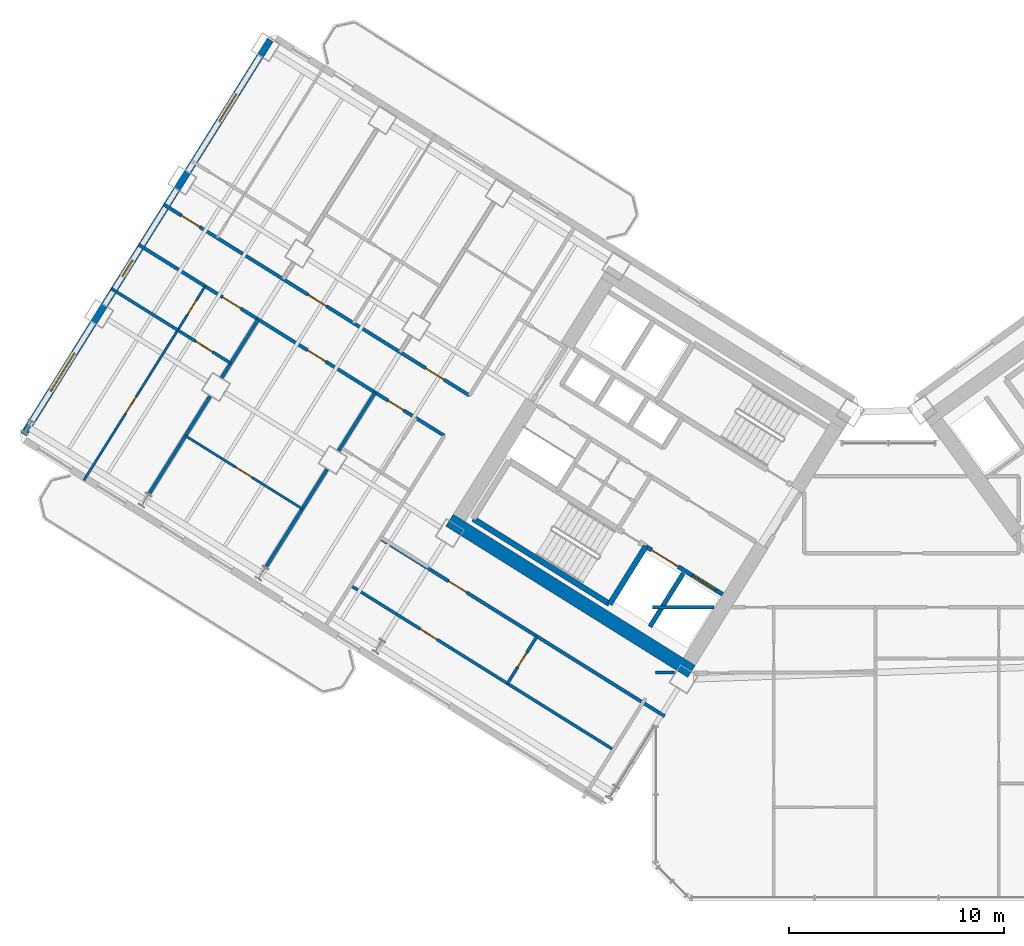
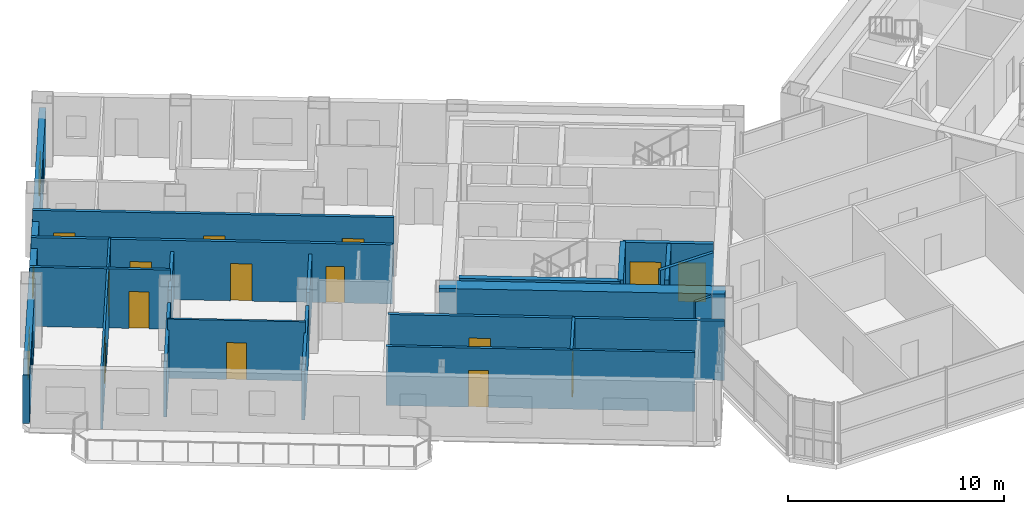
# One storey, part 15 of 24: 21 walls, 15 doors, 3 windows, 18 openings.
"""IFC4 building model written with IfcOpenShell, lengths in metres."""

from ifc_helpers import new_model, si_unit, direction, frame, frame_2d, origin, place, context, subcontext, project, spatial, rectangle, extrude, source, transform, mapped, material, layer, layer_set, type_object, element, fill, save


model = new_model("IFC4")

# Units and contexts
model_context = context("Model", 3, precision=1e-05, world=origin(), true_north=direction((0.0, 1.0)))
body_context = subcontext(model_context, "Body", "Model", "MODEL_VIEW")
ifc_project = project(units=[si_unit("LENGTHUNIT", "METRE"), si_unit("AREAUNIT", "SQUARE_METRE"), si_unit("VOLUMEUNIT", "CUBIC_METRE"), si_unit("PLANEANGLEUNIT", "RADIAN"), si_unit("MASSUNIT", "GRAM", prefix="KILO")], contexts=[model_context])

# Site, building, storey
site_placement = place(None, origin())
site = spatial("IfcSite", under=ifc_project, at=site_placement, CompositionType="ELEMENT")
building_placement = place(site_placement, origin())
building = spatial("IfcBuilding", under=site, at=building_placement, Name="Tlacorven Tower", CompositionType="ELEMENT")
storey_placement = place(building_placement, frame((0.0, 0.0, 45.60009765625)))
storey = spatial("IfcBuildingStorey", under=building, at=storey_placement, Name="L11", CompositionType="ELEMENT", Elevation=45.60009765625)

# Wall
ifc_material_1 = material(Name="Concrete C60/75", Category="concrete")
ifc_layer_1 = layer(ifc_material_1, 0.64990234375)
ifc_layer_set_1 = layer_set([ifc_layer_1], Name="Concrete C60/75")
wall_type_1 = type_object("IfcWallType", Name="WL-COR-650", PredefinedType="SHEAR", material=ifc_layer_set_1)
wall_1_placement = place(storey_placement, frame((33.40869140625, 12.449951171875, 0.0), z_axis=(0.0, 0.0, 1.0), x_axis=(-0.848051132073, 0.529914405721, 0.0)))
element("IfcWall", 1, at=wall_1_placement, inside=storey, type_object=wall_type_1, Name="L11 W core shear wall S2", PredefinedType="SHEAR", context=body_context, shape_type="SweptSolid", body=[
    extrude(rectangle(XDim=13.239990234375, YDim=0.64990234375, at=frame_2d((6.6201171875, 0.0))), origin(), (0.0, 0.0, 1.0), 3.349853515625),
])

# Wall, openings, doors
ifc_material_2 = material(Name="Gypsum plasterboard acoustic partition", Category="gypsum")
ifc_layer_2 = layer(ifc_material_2, 0.159912109375)
ifc_layer_set_2 = layer_set([ifc_layer_2], Name="Gypsum plasterboard acoustic partition")
wall_type_2 = type_object("IfcWallType", Name="WL-DEM-160", PredefinedType="PARTITIONING", material=ifc_layer_set_2)
wall_2_placement = place(storey_placement, frame((23.104248046875, 25.25634765625, 0.0), z_axis=(0.0, 0.0, 1.0), x_axis=(-0.848041752158, 0.529929416617, 0.0)))
wall_2 = element("IfcWall", 2, at=wall_2_placement, inside=storey, type_object=wall_type_2, Name="L11 Wing W Corridor South Wall", PredefinedType="PARTITIONING", context=body_context, shape_type="SweptSolid", body=[
    extrude(rectangle(XDim=16.72998046875, YDim=0.159912109375, at=frame_2d((8.364990234375, 0.0))), origin(), (0.0, 0.0, 1.0), 3.33984375),
])
opening_1_placement = place(wall_2_placement, frame((1.39501953125, 0.0, 0.0)))
opening_1 = element("IfcOpeningElement", 3, at=opening_1_placement, cuts=wall_2, Name="Opening D11", PredefinedType="OPENING", context=body_context, shape_type="SweptSolid", body=[
    extrude(rectangle(XDim=1.0, YDim=2.10009765625, at=frame_2d((0.5, 1.050048828125))), frame((0.0, 0.08984375, 0.0), z_axis=(0.0, -1.0, 0.0), x_axis=(1.0, 0.0, 0.0)), (0.0, 0.0, 1.0), 0.179931640625),
])
opening_2_placement = place(wall_2_placement, frame((7.820068359375, 0.0, 0.0)))
opening_2 = element("IfcOpeningElement", 4, at=opening_2_placement, cuts=wall_2, Name="Opening D11", PredefinedType="OPENING", context=body_context, shape_type="SweptSolid", body=[
    extrude(rectangle(XDim=1.0, YDim=2.10009765625, at=frame_2d((0.5, 1.050048828125))), frame((0.0, 0.08984375, 0.0), z_axis=(0.0, -1.0, 0.0), x_axis=(1.0, 0.0, 0.0)), (0.0, 0.0, 1.0), 0.179931640625),
])
opening_3_placement = place(wall_2_placement, frame((14.760009765625, 0.0, 0.0)))
opening_3 = element("IfcOpeningElement", 5, at=opening_3_placement, cuts=wall_2, Name="Opening D11", PredefinedType="OPENING", context=body_context, shape_type="SweptSolid", body=[
    extrude(rectangle(XDim=1.0, YDim=2.10009765625, at=frame_2d((0.5, 1.050048828125))), frame((0.0, 0.08984375, 0.0), z_axis=(0.0, -1.0, 0.0), x_axis=(1.0, 0.0, 0.0)), (0.0, 0.0, 1.0), 0.179931640625),
])
ifc_material_3 = material(Name="Fire-rated steel door assembly", Category="steel")
door_type_1 = type_object("IfcDoorType", Name="DR-FLT-FD60-1000", OperationType="NOTDEFINED", PredefinedType="DOOR", material=ifc_material_3)
shared_shape_1 = source(origin(), body_context, "Body", "SweptSolid", [
    extrude(rectangle(XDim=1.0, YDim=2.10009765625, at=frame_2d((0.5, 1.050048828125))), frame((0.0, 0.02490234375, 0.0), z_axis=(0.0, -1.0, 0.0), x_axis=(1.0, 0.0, 0.0)), (0.0, 0.0, 1.0), 0.050048828125),
])
door_1_placement = place(opening_1_placement, origin())
door_1 = element("IfcDoor", 6, at=door_1_placement, inside=storey, type_object=door_type_1, Name="L11 door 033", OperationType="SINGLE_SWING_RIGHT", OverallHeight=2.10009765625, OverallWidth=1.0, PredefinedType="DOOR", context=body_context, shape_type="MappedRepresentation", body=[
    mapped(shared_shape_1, transform((0.0, 0.0, 0.0), scale=1.0)),
])
fill(opening_1, door_1)
door_2_placement = place(opening_2_placement, origin())
door_2 = element("IfcDoor", 7, at=door_2_placement, inside=storey, type_object=door_type_1, Name="L11 door 036", OperationType="SINGLE_SWING_LEFT", OverallHeight=2.10009765625, OverallWidth=1.0, PredefinedType="DOOR", context=body_context, shape_type="MappedRepresentation", body=[
    mapped(shared_shape_1, transform((0.0, 0.0, 0.0), scale=1.0)),
])
fill(opening_2, door_2)
door_3_placement = place(opening_3_placement, origin())
door_3 = element("IfcDoor", 8, at=door_3_placement, inside=storey, type_object=door_type_1, Name="L11 door 040", OperationType="SINGLE_SWING_LEFT", OverallHeight=2.10009765625, OverallWidth=1.0, PredefinedType="DOOR", context=body_context, shape_type="MappedRepresentation", body=[
    mapped(shared_shape_1, transform((0.0, 0.0, 0.0), scale=1.0)),
])
fill(opening_3, door_3)

wall_3_placement = place(storey_placement, frame((21.9384765625, 23.390625, 0.0), z_axis=(0.0, 0.0, 1.0), x_axis=(-0.848045850158, 0.529922858565, 0.0)))
wall_3 = element("IfcWall", 9, at=wall_3_placement, inside=storey, type_object=wall_type_2, Name="L11 Wing W Corridor North Wall", PredefinedType="PARTITIONING", context=body_context, shape_type="SweptSolid", body=[
    extrude(rectangle(XDim=16.730224609375, YDim=0.159912109375, at=frame_2d((8.365234375, 0.0))), origin(), (0.0, 0.0, 1.0), 3.33984375),
])
opening_4_placement = place(wall_3_placement, frame((2.219970703125, 0.0, 0.0)))
opening_4 = element("IfcOpeningElement", 10, at=opening_4_placement, cuts=wall_3, Name="Opening D19", PredefinedType="OPENING", context=body_context, shape_type="SweptSolid", body=[
    extrude(rectangle(XDim=0.860107421875, YDim=2.050048828125, at=frame_2d((0.43017578125, 1.02490234375))), frame((0.0, 0.08984375, 0.0), z_axis=(0.0, -1.0, 0.0), x_axis=(1.0, 0.0, 0.0)), (0.0, 0.0, 1.0), 0.179931640625),
])
opening_5_placement = place(wall_3_placement, frame((6.489990234375, 0.0, 0.0)))
opening_5 = element("IfcOpeningElement", 11, at=opening_5_placement, cuts=wall_3, Name="Opening D11", PredefinedType="OPENING", context=body_context, shape_type="SweptSolid", body=[
    extrude(rectangle(XDim=1.0, YDim=2.10009765625, at=frame_2d((0.5, 1.050048828125))), frame((0.0, 0.08984375, 0.0), z_axis=(0.0, -1.0, 0.0), x_axis=(1.0, 0.0, 0.0)), (0.0, 0.0, 1.0), 0.179931640625),
])
opening_6_placement = place(wall_3_placement, frame((11.139892578125, 0.0, 0.0)))
opening_6 = element("IfcOpeningElement", 12, at=opening_6_placement, cuts=wall_3, Name="Opening D11", PredefinedType="OPENING", context=body_context, shape_type="SweptSolid", body=[
    extrude(rectangle(XDim=1.0, YDim=2.10009765625, at=frame_2d((0.5, 1.050048828125))), frame((0.0, 0.08984375, 0.0), z_axis=(0.0, -1.0, 0.0), x_axis=(1.0, 0.0, 0.0)), (0.0, 0.0, 1.0), 0.179931640625),
])
door_type_2 = type_object("IfcDoorType", Name="DR-RSR-FD60-0860", OperationType="NOTDEFINED", PredefinedType="DOOR", material=ifc_material_3)
shared_shape_2 = source(origin(), body_context, "Body", "SweptSolid", [
    extrude(rectangle(XDim=0.860107421875, YDim=2.050048828125, at=frame_2d((0.43017578125, 1.02490234375))), frame((0.0, 0.02490234375, 0.0), z_axis=(0.0, -1.0, 0.0), x_axis=(1.0, 0.0, 0.0)), (0.0, 0.0, 1.0), 0.050048828125),
])
door_4_placement = place(opening_4_placement, origin())
door_4 = element("IfcDoor", 13, at=door_4_placement, inside=storey, type_object=door_type_2, Name="L11 door 023", OperationType="SINGLE_SWING_RIGHT", OverallHeight=2.050048828125, OverallWidth=0.860107421875, PredefinedType="DOOR", context=body_context, shape_type="MappedRepresentation", body=[
    mapped(shared_shape_2, transform((0.0, 0.0, 0.0), scale=1.0)),
])
fill(opening_4, door_4)
door_5_placement = place(opening_5_placement, origin())
door_5 = element("IfcDoor", 14, at=door_5_placement, inside=storey, type_object=door_type_1, Name="L11 door 026", OperationType="SINGLE_SWING_LEFT", OverallHeight=2.10009765625, OverallWidth=1.0, PredefinedType="DOOR", context=body_context, shape_type="MappedRepresentation", body=[
    mapped(shared_shape_1, transform((0.0, 0.0, 0.0), scale=1.0)),
])
fill(opening_5, door_5)
door_6_placement = place(opening_6_placement, origin())
door_6 = element("IfcDoor", 15, at=door_6_placement, inside=storey, type_object=door_type_1, Name="L11 door 029", OperationType="SINGLE_SWING_RIGHT", OverallHeight=2.10009765625, OverallWidth=1.0, PredefinedType="DOOR", context=body_context, shape_type="MappedRepresentation", body=[
    mapped(shared_shape_1, transform((0.0, 0.0, 0.0), scale=1.0)),
])
fill(opening_6, door_6)

# Walls
wall_4_placement = place(storey_placement, frame((18.724365234375, 25.399169921875, 0.0), z_axis=(0.0, 0.0, 1.0), x_axis=(-0.529930102756, -0.848041323399, 0.0)))
element("IfcWall", 16, at=wall_4_placement, inside=storey, type_object=wall_type_2, Name="L11 WN Demising Wall 1", PredefinedType="PARTITIONING", context=body_context, shape_type="SweptSolid", body=[
    extrude(rectangle(XDim=3.18798828125, YDim=0.159912109375, at=frame_2d((1.593994140625, 0.0))), origin(), (0.0, 0.0, 1.0), 2.724853515625),
])
wall_5_placement = place(storey_placement, frame((16.4921875, 21.8271484375, 0.0), z_axis=(0.0, 0.0, 1.0), x_axis=(-0.529904608059, -0.848057254175, 0.0)))
element("IfcWall", 17, at=wall_5_placement, inside=storey, type_object=wall_type_2, Name="L11 WN Demising Wall 1", PredefinedType="PARTITIONING", context=body_context, shape_type="SweptSolid", body=[
    extrude(rectangle(XDim=5.350830078125, YDim=0.159912109375, at=frame_2d((2.67529296875, 0.0))), origin(), (0.0, 0.0, 1.0), 2.724853515625),
])
wall_6_placement = place(storey_placement, frame((13.296875, 28.79052734375, 0.0), z_axis=(0.0, 0.0, 1.0), x_axis=(-0.529930102756, -0.848041323399, 0.0)))
element("IfcWall", 18, at=wall_6_placement, inside=storey, type_object=wall_type_2, Name="L11 WN Demising Wall 2", PredefinedType="PARTITIONING", context=body_context, shape_type="SweptSolid", body=[
    extrude(rectangle(XDim=3.18798828125, YDim=0.159912109375, at=frame_2d((1.593994140625, 0.0))), origin(), (0.0, 0.0, 1.0), 2.724853515625),
])
wall_7_placement = place(storey_placement, frame((11.064697265625, 25.218505859375, 0.0), z_axis=(0.0, 0.0, 1.0), x_axis=(-0.529904608059, -0.848057254175, 0.0)))
element("IfcWall", 19, at=wall_7_placement, inside=storey, type_object=wall_type_2, Name="L11 WN Demising Wall 2", PredefinedType="PARTITIONING", context=body_context, shape_type="SweptSolid", body=[
    extrude(rectangle(XDim=5.350830078125, YDim=0.159912109375, at=frame_2d((2.67529296875, 0.0))), origin(), (0.0, 0.0, 1.0), 2.724853515625),
])

# Wall, opening, door
wall_8_placement = place(storey_placement, frame((32.164306640625, 10.373779296875, 0.0), z_axis=(0.0, 0.0, 1.0), x_axis=(-0.848044107957, 0.529925646633, 0.0)))
wall_8 = element("IfcWall", 20, at=wall_8_placement, inside=storey, type_object=wall_type_2, Name="L11 partition 75", PredefinedType="PARTITIONING", context=body_context, shape_type="SweptSolid", body=[
    extrude(rectangle(XDim=15.570068359375, YDim=0.159912109375, at=frame_2d((7.78515625, 0.0))), origin(), (0.0, 0.0, 1.0), 3.33984375),
])
opening_7_placement = place(wall_8_placement, frame((10.830078125, 0.0, 0.0)))
opening_7 = element("IfcOpeningElement", 21, at=opening_7_placement, cuts=wall_8, Name="Opening D11", PredefinedType="OPENING", context=body_context, shape_type="SweptSolid", body=[
    extrude(rectangle(XDim=1.0, YDim=2.10009765625, at=frame_2d((0.5, 1.050048828125))), frame((0.0, 0.08984375, 0.0), z_axis=(0.0, -1.0, 0.0), x_axis=(1.0, 0.0, 0.0)), (0.0, 0.0, 1.0), 0.179931640625),
])
door_7_placement = place(opening_7_placement, origin())
door_7 = element("IfcDoor", 22, at=door_7_placement, inside=storey, type_object=door_type_1, Name="L11 door 044", OperationType="SINGLE_SWING_LEFT", OverallHeight=2.10009765625, OverallWidth=1.0, PredefinedType="DOOR", context=body_context, shape_type="MappedRepresentation", body=[
    mapped(shared_shape_1, transform((0.0, 0.0, 0.0), scale=1.0)),
])
fill(opening_7, door_7)

# Wall
wall_9_placement = place(storey_placement, frame((31.60009765625, 15.419921875, 0.0), z_axis=(0.0, 0.0, 1.0), x_axis=(1.0, 0.0, 0.0)))
element("IfcWall", 23, at=wall_9_placement, inside=storey, type_object=wall_type_2, Name="L11 Knuckle Corridor South Wall", PredefinedType="PARTITIONING", context=body_context, shape_type="SweptSolid", body=[
    extrude(rectangle(XDim=2.8662109375, YDim=0.159912109375, at=frame_2d((1.43310546875, 0.0))), origin(), (0.0, 0.0, 1.0), 3.33984375),
])

# Wall, openings, windows
ifc_material_4 = material(Name="Precast concrete C45/55", Category="concrete")
ifc_layer_3 = layer(ifc_material_4, 0.320068359375)
ifc_layer_set_3 = layer_set([ifc_layer_3], Name="Precast concrete C45/55")
wall_type_3 = type_object("IfcWallType", Name="WL-EXT-320", PredefinedType="STANDARD", material=ifc_layer_set_3)
wall_10_placement = place(storey_placement, frame((2.41455078125, 23.452392578125, 0.0), z_axis=(0.0, 0.0, 1.0), x_axis=(0.52991049553, 0.848053575387, 0.0)))
wall_10 = element("IfcWall", 24, at=wall_10_placement, inside=storey, type_object=wall_type_3, Name="L11 Masonry-Frame Recessed Facade Wall 2", PredefinedType="STANDARD", context=body_context, shape_type="SweptSolid", body=[
    extrude(rectangle(XDim=21.58740234375, YDim=0.320068359375, at=frame_2d((10.793701171875, 0.0))), origin(), (0.0, 0.0, 1.0), 2.724853515625),
])
opening_8_placement = place(wall_10_placement, frame((2.356201171875, 0.0, 0.800048828125)))
opening_8 = element("IfcOpeningElement", 25, at=opening_8_placement, cuts=wall_10, Name="Opening WN04", PredefinedType="OPENING", context=body_context, shape_type="SweptSolid", body=[
    extrude(rectangle(XDim=2.10009765625, YDim=1.550048828125, at=frame_2d((1.050048828125, 0.77490234375))), frame((0.0, 0.169921875, 0.0), z_axis=(0.0, -1.0, 0.0), x_axis=(1.0, 0.0, 0.0)), (0.0, 0.0, 1.0), 0.340087890625),
])
opening_9_placement = place(wall_10_placement, frame((8.638671875, 0.0, 1.0)))
opening_9 = element("IfcOpeningElement", 26, at=opening_9_placement, cuts=wall_10, Name="Opening WN05", PredefinedType="OPENING", context=body_context, shape_type="SweptSolid", body=[
    extrude(rectangle(XDim=0.89990234375, YDim=1.25, at=frame_2d((0.449951171875, 0.625))), frame((0.0, 0.169921875, 0.0), z_axis=(0.0, -1.0, 0.0), x_axis=(1.0, 0.0, 0.0)), (0.0, 0.0, 1.0), 0.340087890625),
])
opening_10_placement = place(wall_10_placement, frame((17.128662109375, 0.0, 0.85009765625)))
opening_10 = element("IfcOpeningElement", 27, at=opening_10_placement, cuts=wall_10, Name="Opening WN02", PredefinedType="OPENING", context=body_context, shape_type="SweptSolid", body=[
    extrude(rectangle(XDim=1.5, YDim=1.5, at=frame_2d((0.75, 0.75))), frame((0.0, 0.169921875, 0.0), z_axis=(0.0, -1.0, 0.0), x_axis=(1.0, 0.0, 0.0)), (0.0, 0.0, 1.0), 0.340087890625),
])
ifc_material_5 = material(Name="Dark solar low-E double glazing in anodised aluminium frame", Category="aluminium")
window_type_1 = type_object("IfcWindowType", Name="WN-APT-2100X1750", PartitioningType="SINGLE_PANEL", PredefinedType="WINDOW", material=ifc_material_5)
shared_shape_3 = source(origin(), body_context, "Body", "SweptSolid", [
    extrude(rectangle(XDim=2.10009765625, YDim=1.550048828125, at=frame_2d((1.050048828125, 0.77490234375))), frame((0.0, 0.030029296875, 0.0), z_axis=(0.0, -1.0, 0.0), x_axis=(1.0, 0.0, 0.0)), (0.0, 0.0, 1.0), 0.06005859375),
])
window_1_placement = place(opening_8_placement, origin())
window_1 = element("IfcWindow", 28, at=window_1_placement, inside=storey, type_object=window_type_1, Name="L11 Recessed Masonry-Frame Window L11-02.1", OverallHeight=1.550048828125, OverallWidth=2.10009765625, PartitioningType="SINGLE_PANEL", PredefinedType="WINDOW", context=body_context, shape_type="MappedRepresentation", body=[
    mapped(shared_shape_3, transform((0.0, 0.0, 0.0), scale=1.0)),
])
fill(opening_8, window_1)
window_type_2 = type_object("IfcWindowType", Name="WN-APT-1500X1650", PartitioningType="SINGLE_PANEL", PredefinedType="WINDOW", material=ifc_material_5)
shared_shape_4 = source(origin(), body_context, "Body", "SweptSolid", [
    extrude(rectangle(XDim=1.5, YDim=1.5, at=frame_2d((0.75, 0.75))), frame((0.0, 0.030029296875, 0.0), z_axis=(0.0, -1.0, 0.0), x_axis=(1.0, 0.0, 0.0)), (0.0, 0.0, 1.0), 0.06005859375),
])
window_2_placement = place(opening_10_placement, origin())
window_2 = element("IfcWindow", 29, at=window_2_placement, inside=storey, type_object=window_type_2, Name="L11 Recessed Masonry-Frame Window L11-02.3", OverallHeight=1.5, OverallWidth=1.5, PartitioningType="SINGLE_PANEL", PredefinedType="WINDOW", context=body_context, shape_type="MappedRepresentation", body=[
    mapped(shared_shape_4, transform((0.0, 0.0, 0.0), scale=1.0)),
])
fill(opening_10, window_2)
window_type_3 = type_object("IfcWindowType", Name="WN-APT-0900X1350", PartitioningType="SINGLE_PANEL", PredefinedType="WINDOW", material=ifc_material_5)
shared_shape_5 = source(origin(), body_context, "Body", "SweptSolid", [
    extrude(rectangle(XDim=0.89990234375, YDim=1.25, at=frame_2d((0.449951171875, 0.625))), frame((0.0, 0.030029296875, 0.0), z_axis=(0.0, -1.0, 0.0), x_axis=(1.0, 0.0, 0.0)), (0.0, 0.0, 1.0), 0.06005859375),
])
window_3_placement = place(opening_9_placement, origin())
window_3 = element("IfcWindow", 30, at=window_3_placement, inside=storey, type_object=window_type_3, Name="L11 Recessed Masonry-Frame Window L11-02.2", OverallHeight=1.25, OverallWidth=0.89990234375, PartitioningType="SINGLE_PANEL", PredefinedType="WINDOW", context=body_context, shape_type="MappedRepresentation", body=[
    mapped(shared_shape_5, transform((0.0, 0.0, 0.0), scale=1.0)),
])
fill(opening_9, window_3)

# Wall, opening, door
ifc_material_6 = material(Name="Gypsum plasterboard partition", Category="gypsum")
ifc_layer_4 = layer(ifc_material_6, 0.110107421875)
ifc_layer_set_4 = layer_set([ifc_layer_4], Name="Gypsum plasterboard partition")
wall_type_4 = type_object("IfcWallType", Name="WL-INT-110", PredefinedType="PARTITIONING", material=ifc_layer_set_4)
wall_11_placement = place(storey_placement, frame((15.34765625, 19.995361328125, 0.0), z_axis=(0.0, 0.0, 1.0), x_axis=(-0.848056163074, 0.529906354247, 0.0)))
wall_11 = element("IfcWall", 31, at=wall_11_placement, inside=storey, type_object=wall_type_4, Name="L11 partition 60", PredefinedType="PARTITIONING", context=body_context, shape_type="SweptSolid", body=[
    extrude(rectangle(XDim=6.39990234375, YDim=0.110107421875, at=frame_2d((3.199951171875, 0.0))), origin(), (0.0, 0.0, 1.0), 3.33984375),
])
opening_11_placement = place(wall_11_placement, frame((2.739990234375, 0.0, 0.0)))
opening_11 = element("IfcOpeningElement", 32, at=opening_11_placement, cuts=wall_11, Name="Opening D12", PredefinedType="OPENING", context=body_context, shape_type="SweptSolid", body=[
    extrude(rectangle(XDim=0.919921875, YDim=2.080078125, at=frame_2d((0.4599609375, 1.0400390625))), frame((0.0, 0.06494140625, 0.0), z_axis=(0.0, -1.0, 0.0), x_axis=(1.0, 0.0, 0.0)), (0.0, 0.0, 1.0), 0.130126953125),
])
ifc_material_7 = material(Name="Powder-coated aluminium and timber door", Category="wood")
door_type_3 = type_object("IfcDoorType", Name="DR-INT-ROOM-0920", OperationType="NOTDEFINED", PredefinedType="DOOR", material=ifc_material_7)
shared_shape_6 = source(origin(), body_context, "Body", "SweptSolid", [
    extrude(rectangle(XDim=0.919921875, YDim=2.080078125, at=frame_2d((0.4599609375, 1.0400390625))), frame((0.0, 0.02490234375, 0.0), z_axis=(0.0, -1.0, 0.0), x_axis=(1.0, 0.0, 0.0)), (0.0, 0.0, 1.0), 0.050048828125),
])
door_8_placement = place(opening_11_placement, origin())
door_8 = element("IfcDoor", 33, at=door_8_placement, inside=storey, type_object=door_type_3, Name="L11 door 027", OperationType="SINGLE_SWING_RIGHT", OverallHeight=2.080078125, OverallWidth=0.919921875, PredefinedType="DOOR", context=body_context, shape_type="MappedRepresentation", body=[
    mapped(shared_shape_6, transform((0.0, 0.0, 0.0), scale=1.0)),
])
fill(opening_11, door_8)

# Wall, openings, doors
wall_12_placement = place(storey_placement, frame((10.83740234375, 30.327392578125, 0.0), z_axis=(0.0, 0.0, 1.0), x_axis=(-0.529912148489, -0.848052542525, 0.0)))
wall_12 = element("IfcWall", 34, at=wall_12_placement, inside=storey, type_object=wall_type_4, Name="L11 partition 61", PredefinedType="PARTITIONING", context=body_context, shape_type="SweptSolid", body=[
    extrude(rectangle(XDim=10.6201171875, YDim=0.110107421875, at=frame_2d((5.31005859375, 0.0))), origin(), (0.0, 0.0, 1.0), 3.33984375),
])
opening_12_placement = place(wall_12_placement, frame((0.760009765625, 0.0, 0.0)))
opening_12 = element("IfcOpeningElement", 35, at=opening_12_placement, cuts=wall_12, Name="Opening D22", PredefinedType="OPENING", context=body_context, shape_type="SweptSolid", body=[
    extrude(rectangle(XDim=0.780029296875, YDim=2.050048828125, at=frame_2d((0.39013671875, 1.02490234375))), frame((0.0, 0.06494140625, 0.0), z_axis=(0.0, -1.0, 0.0), x_axis=(1.0, 0.0, 0.0)), (0.0, 0.0, 1.0), 0.130126953125),
])
opening_13_placement = place(wall_12_placement, frame((6.050048828125, 0.0, 0.0)))
opening_13 = element("IfcOpeningElement", 36, at=opening_13_placement, cuts=wall_12, Name="Opening D12", PredefinedType="OPENING", context=body_context, shape_type="SweptSolid", body=[
    extrude(rectangle(XDim=0.919921875, YDim=2.080078125, at=frame_2d((0.4599609375, 1.0400390625))), frame((0.0, 0.06494140625, 0.0), z_axis=(0.0, -1.0, 0.0), x_axis=(1.0, 0.0, 0.0)), (0.0, 0.0, 1.0), 0.130126953125),
])
door_type_4 = type_object("IfcDoorType", Name="DR-INT-WET-0780", OperationType="NOTDEFINED", PredefinedType="DOOR", material=ifc_material_7)
shared_shape_7 = source(origin(), body_context, "Body", "SweptSolid", [
    extrude(rectangle(XDim=0.780029296875, YDim=2.050048828125, at=frame_2d((0.39013671875, 1.02490234375))), frame((0.0, 0.02490234375, 0.0), z_axis=(0.0, -1.0, 0.0), x_axis=(1.0, 0.0, 0.0)), (0.0, 0.0, 1.0), 0.050048828125),
])
door_9_placement = place(opening_12_placement, origin())
door_9 = element("IfcDoor", 37, at=door_9_placement, inside=storey, type_object=door_type_4, Name="L11 door 031", OperationType="SINGLE_SWING_RIGHT", OverallHeight=2.050048828125, OverallWidth=0.780029296875, PredefinedType="DOOR", context=body_context, shape_type="MappedRepresentation", body=[
    mapped(shared_shape_7, transform((0.0, 0.0, 0.0), scale=1.0)),
])
fill(opening_12, door_9)
door_10_placement = place(opening_13_placement, origin())
door_10 = element("IfcDoor", 38, at=door_10_placement, inside=storey, type_object=door_type_3, Name="L11 door 032", OperationType="SINGLE_SWING_LEFT", OverallHeight=2.080078125, OverallWidth=0.919921875, PredefinedType="DOOR", context=body_context, shape_type="MappedRepresentation", body=[
    mapped(shared_shape_6, transform((0.0, 0.0, 0.0), scale=1.0)),
])
fill(opening_13, door_10)

# Wall, opening, door
ifc_material_8 = material(Name="Moisture-resistant gypsum plumbing wall", Category="gypsum")
ifc_layer_5 = layer(ifc_material_8, 0.139892578125)
ifc_layer_set_5 = layer_set([ifc_layer_5], Name="Moisture-resistant gypsum plumbing wall")
wall_type_5 = type_object("IfcWallType", Name="WL-PLM-140", PredefinedType="PLUMBINGWALL", material=ifc_layer_set_5)
wall_13_placement = place(storey_placement, frame((12.02490234375, 26.75537109375, 0.0), z_axis=(0.0, 0.0, 1.0), x_axis=(-0.848059786386, 0.529900555496, 0.0)))
wall_13 = element("IfcWall", 39, at=wall_13_placement, inside=storey, type_object=wall_type_5, Name="L11 partition 63", PredefinedType="PLUMBINGWALL", context=body_context, shape_type="SweptSolid", body=[
    extrude(rectangle(XDim=2.89990234375, YDim=0.139892578125, at=frame_2d((1.449951171875, 0.0))), origin(), (0.0, 0.0, 1.0), 3.33984375),
])
opening_14_placement = place(wall_13_placement, frame((0.989990234375, 0.0, 0.0)))
opening_14 = element("IfcOpeningElement", 40, at=opening_14_placement, cuts=wall_13, Name="Opening D12", PredefinedType="OPENING", context=body_context, shape_type="SweptSolid", body=[
    extrude(rectangle(XDim=0.919921875, YDim=2.080078125, at=frame_2d((0.4599609375, 1.0400390625))), frame((0.0, 0.080078125, 0.0), z_axis=(0.0, -1.0, 0.0), x_axis=(1.0, 0.0, 0.0)), (0.0, 0.0, 1.0), 0.159912109375),
])
door_11_placement = place(opening_14_placement, origin())
door_11 = element("IfcDoor", 41, at=door_11_placement, inside=storey, type_object=door_type_3, Name="L11 door 030", OperationType="SINGLE_SWING_RIGHT", OverallHeight=2.080078125, OverallWidth=0.919921875, PredefinedType="DOOR", context=body_context, shape_type="MappedRepresentation", body=[
    mapped(shared_shape_6, transform((0.0, 0.0, 0.0), scale=1.0)),
])
fill(opening_14, door_11)

# Wall
wall_14_placement = place(storey_placement, frame((9.565673828125, 28.2919921875, 0.0), z_axis=(0.0, 0.0, 1.0), x_axis=(-0.848021036626, 0.529962566074, 0.0)))
element("IfcWall", 42, at=wall_14_placement, inside=storey, type_object=wall_type_5, Name="L11 partition 64", PredefinedType="PLUMBINGWALL", context=body_context, shape_type="SweptSolid", body=[
    extrude(rectangle(XDim=3.619873046875, YDim=0.139892578125, at=frame_2d((1.81005859375, 0.0))), origin(), (0.0, 0.0, 1.0), 3.33984375),
])

# Wall, opening, door
wall_15_placement = place(storey_placement, frame((29.72021484375, 8.85888671875, 0.0), z_axis=(0.0, 0.0, 1.0), x_axis=(-0.848049134363, 0.529917602752, 0.0)))
wall_15 = element("IfcWall", 43, at=wall_15_placement, inside=storey, type_object=wall_type_5, Name="L11 partition 77", PredefinedType="PLUMBINGWALL", context=body_context, shape_type="SweptSolid", body=[
    extrude(rectangle(XDim=14.300048828125, YDim=0.139892578125, at=frame_2d((7.14990234375, 0.0))), origin(), (0.0, 0.0, 1.0), 3.33984375),
])
opening_15_placement = place(wall_15_placement, frame((9.570068359375, 0.0, 0.0)))
opening_15 = element("IfcOpeningElement", 44, at=opening_15_placement, cuts=wall_15, Name="Opening D12", PredefinedType="OPENING", context=body_context, shape_type="SweptSolid", body=[
    extrude(rectangle(XDim=0.919921875, YDim=2.080078125, at=frame_2d((0.4599609375, 1.0400390625))), frame((0.0, 0.080078125, 0.0), z_axis=(0.0, -1.0, 0.0), x_axis=(1.0, 0.0, 0.0)), (0.0, 0.0, 1.0), 0.159912109375),
])
door_12_placement = place(opening_15_placement, origin())
door_12 = element("IfcDoor", 45, at=door_12_placement, inside=storey, type_object=door_type_3, Name="L11 door 045", OperationType="SINGLE_SWING_RIGHT", OverallHeight=2.080078125, OverallWidth=0.919921875, PredefinedType="DOOR", context=body_context, shape_type="MappedRepresentation", body=[
    mapped(shared_shape_6, transform((0.0, 0.0, 0.0), scale=1.0)),
])
fill(opening_15, door_12)

wall_16_placement = place(storey_placement, frame((26.236572265625, 14.077880859375, 0.0), z_axis=(0.0, 0.0, 1.0), x_axis=(-0.52995640672, -0.848024885824, 0.0)))
wall_16 = element("IfcWall", 46, at=wall_16_placement, inside=storey, type_object=wall_type_5, Name="L11 partition 78", PredefinedType="PLUMBINGWALL", context=body_context, shape_type="SweptSolid", body=[
    extrude(rectangle(XDim=2.579833984375, YDim=0.139892578125, at=frame_2d((1.2900390625, 0.0))), origin(), (0.0, 0.0, 1.0), 3.33984375),
])
opening_16_placement = place(wall_16_placement, frame((0.89990234375, 0.0, 0.0)))
opening_16 = element("IfcOpeningElement", 47, at=opening_16_placement, cuts=wall_16, Name="Opening D22", PredefinedType="OPENING", context=body_context, shape_type="SweptSolid", body=[
    extrude(rectangle(XDim=0.780029296875, YDim=2.050048828125, at=frame_2d((0.39013671875, 1.02490234375))), frame((0.0, 0.080078125, 0.0), z_axis=(0.0, -1.0, 0.0), x_axis=(1.0, 0.0, 0.0)), (0.0, 0.0, 1.0), 0.159912109375),
])
door_13_placement = place(opening_16_placement, origin())
door_13 = element("IfcDoor", 48, at=door_13_placement, inside=storey, type_object=door_type_4, Name="L11 door 046", OperationType="SINGLE_SWING_LEFT", OverallHeight=2.050048828125, OverallWidth=0.780029296875, PredefinedType="DOOR", context=body_context, shape_type="MappedRepresentation", body=[
    mapped(shared_shape_7, transform((0.0, 0.0, 0.0), scale=1.0)),
])
fill(opening_16, door_13)

# Wall
wall_17_placement = place(storey_placement, frame((31.739990234375, 12.389892578125, 0.0), z_axis=(0.0, 0.0, 1.0), x_axis=(1.0, 0.0, 0.0)))
element("IfcWall", 49, at=wall_17_placement, inside=storey, type_object=wall_type_5, Name="L11 partition 88", PredefinedType="PLUMBINGWALL", context=body_context, shape_type="SweptSolid", body=[
    extrude(rectangle(XDim=0.891845703125, YDim=0.139892578125, at=frame_2d((0.44580078125, 0.0))), origin(), (0.0, 0.0, 1.0), 3.33984375),
])

# Wall, openings, doors
ifc_material_9 = material(Name="Concrete C40/50", Category="concrete")
ifc_layer_6 = layer(ifc_material_9, 0.199951171875)
ifc_layer_set_6 = layer_set([ifc_layer_6], Name="Concrete C40/50")
wall_type_6 = type_object("IfcWallType", Name="WL-SHF-200", PredefinedType="STANDARD", material=ifc_layer_set_6)
wall_18_placement = place(storey_placement, frame((34.84814453125, 16.03125, 0.0), z_axis=(0.0, 0.0, 1.0), x_axis=(-0.848044042236, 0.529925751807, 0.0)))
wall_18 = element("IfcWall", 50, at=wall_18_placement, inside=storey, type_object=wall_type_6, Name="L11 Core W Firefighting Lift Shaft Front Wall", PredefinedType="STANDARD", context=body_context, shape_type="SweptSolid", body=[
    extrude(rectangle(XDim=4.197998046875, YDim=0.199951171875, at=frame_2d((2.09912109375, 0.0))), origin(), (0.0, 0.0, 1.0), 3.33984375),
])
opening_17_placement = place(wall_18_placement, frame((0.347900390625, 0.0, 0.0)))
opening_17 = element("IfcOpeningElement", 51, at=opening_17_placement, cuts=wall_18, Name="Opening LD03", PredefinedType="OPENING", context=body_context, shape_type="SweptSolid", body=[
    extrude(rectangle(XDim=1.300048828125, YDim=2.199951171875, at=frame_2d((0.64990234375, 1.10009765625))), frame((0.0, 0.10986328125, 0.0), z_axis=(0.0, -1.0, 0.0), x_axis=(1.0, 0.0, 0.0)), (0.0, 0.0, 1.0), 0.219970703125),
])
opening_18_placement = place(wall_18_placement, frame((2.423095703125, 0.0, 0.0)))
opening_18 = element("IfcOpeningElement", 52, at=opening_18_placement, cuts=wall_18, Name="Opening LD04", PredefinedType="OPENING", context=body_context, shape_type="SweptSolid", body=[
    extrude(rectangle(XDim=1.449951171875, YDim=2.25, at=frame_2d((0.72509765625, 1.125))), frame((0.0, 0.10986328125, 0.0), z_axis=(0.0, -1.0, 0.0), x_axis=(1.0, 0.0, 0.0)), (0.0, 0.0, 1.0), 0.219970703125),
])
door_type_5 = type_object("IfcDoorType", Name="DR-LFT-SLID-1300", OperationType="DOUBLE_DOOR_SLIDING", PredefinedType="DOOR", material=ifc_material_3)
shared_shape_8 = source(origin(), body_context, "Body", "SweptSolid", [
    extrude(rectangle(XDim=1.300048828125, YDim=2.199951171875, at=frame_2d((0.64990234375, 1.10009765625))), frame((0.0, 0.02490234375, 0.0), z_axis=(0.0, -1.0, 0.0), x_axis=(1.0, 0.0, 0.0)), (0.0, 0.0, 1.0), 0.050048828125),
])
door_14_placement = place(opening_17_placement, origin())
door_14 = element("IfcDoor", 53, at=door_14_placement, inside=storey, type_object=door_type_5, Name="L11 Lift FFL-W1 Sliding Landing Door", OperationType="DOUBLE_DOOR_SLIDING", OverallHeight=2.199951171875, OverallWidth=1.300048828125, PredefinedType="DOOR", context=body_context, shape_type="MappedRepresentation", body=[
    mapped(shared_shape_8, transform((0.0, 0.0, 0.0), scale=1.0)),
])
fill(opening_17, door_14)
door_type_6 = type_object("IfcDoorType", Name="DR-LFT-SLID-1450", OperationType="DOUBLE_DOOR_SLIDING", PredefinedType="DOOR", material=ifc_material_3)
shared_shape_9 = source(origin(), body_context, "Body", "SweptSolid", [
    extrude(rectangle(XDim=1.449951171875, YDim=2.25, at=frame_2d((0.72509765625, 1.125))), frame((0.0, 0.02490234375, 0.0), z_axis=(0.0, -1.0, 0.0), x_axis=(1.0, 0.0, 0.0)), (0.0, 0.0, 1.0), 0.050048828125),
])
door_15_placement = place(opening_18_placement, origin())
door_15 = element("IfcDoor", 54, at=door_15_placement, inside=storey, type_object=door_type_6, Name="L11 Lift SVL-W1 Sliding Landing Door", OperationType="DOUBLE_DOOR_SLIDING", OverallHeight=2.25, OverallWidth=1.449951171875, PredefinedType="DOOR", context=body_context, shape_type="MappedRepresentation", body=[
    mapped(shared_shape_9, transform((0.0, 0.0, 0.0), scale=1.0)),
])
fill(opening_18, door_15)

# Walls
wall_19_placement = place(storey_placement, frame((33.02880859375, 17.003173828125, 0.0), z_axis=(0.0, 0.0, 1.0), x_axis=(-0.529916267533, -0.848049968695, 0.0)))
element("IfcWall", 55, at=wall_19_placement, inside=storey, type_object=wall_type_6, Name="L11 partition 14", PredefinedType="STANDARD", context=body_context, shape_type="SweptSolid", body=[
    extrude(rectangle(XDim=2.919921875, YDim=0.199951171875, at=frame_2d((1.4599609375, 0.0))), origin(), (0.0, 0.0, 1.0), 3.33984375),
])
ifc_material_10 = material(Name="Concrete C50/60", Category="concrete")
ifc_layer_7 = layer(ifc_material_10, 0.260009765625)
ifc_layer_set_7 = layer_set([ifc_layer_7], Name="Concrete C50/60")
wall_type_7 = type_object("IfcWallType", Name="WL-STW-260", PredefinedType="SHEAR", material=ifc_layer_set_7)
wall_20_placement = place(storey_placement, frame((29.60498046875, 15.581298828125, 0.0), z_axis=(0.0, 0.0, 1.0), x_axis=(-0.848036911448, 0.529937163087, 0.0)))
element("IfcWall", 56, at=wall_20_placement, inside=storey, type_object=wall_type_7, Name="L11 Stair W1 Far Shear Wall", PredefinedType="SHEAR", context=body_context, shape_type="SweptSolid", body=[
    extrude(rectangle(XDim=7.4599609375, YDim=0.260009765625, at=frame_2d((3.72998046875, 0.0))), origin(), (0.0, 0.0, 1.0), 3.349853515625),
])
wall_21_placement = place(storey_placement, frame((31.2880859375, 18.255859375, 0.0), z_axis=(0.0, 0.0, 1.0), x_axis=(-0.529943379326, -0.848033026897, 0.0)))
element("IfcWall", 57, at=wall_21_placement, inside=storey, type_object=wall_type_7, Name="L11 Stair W1 West Shear Wall", PredefinedType="SHEAR", context=body_context, shape_type="SweptSolid", body=[
    extrude(rectangle(XDim=3.159912109375, YDim=0.260009765625, at=frame_2d((1.580078125, 0.0))), origin(), (0.0, 0.0, 1.0), 3.349853515625),
])

save(model, "model.ifc")
